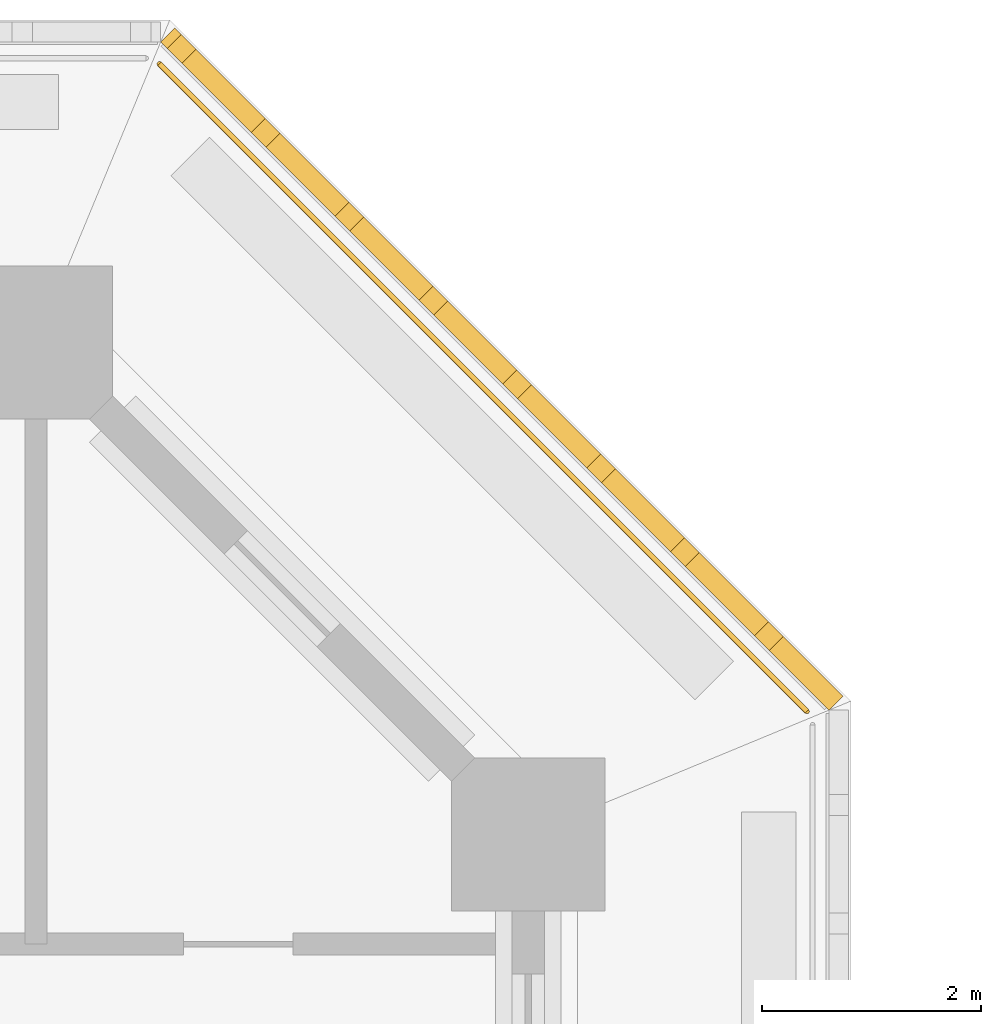
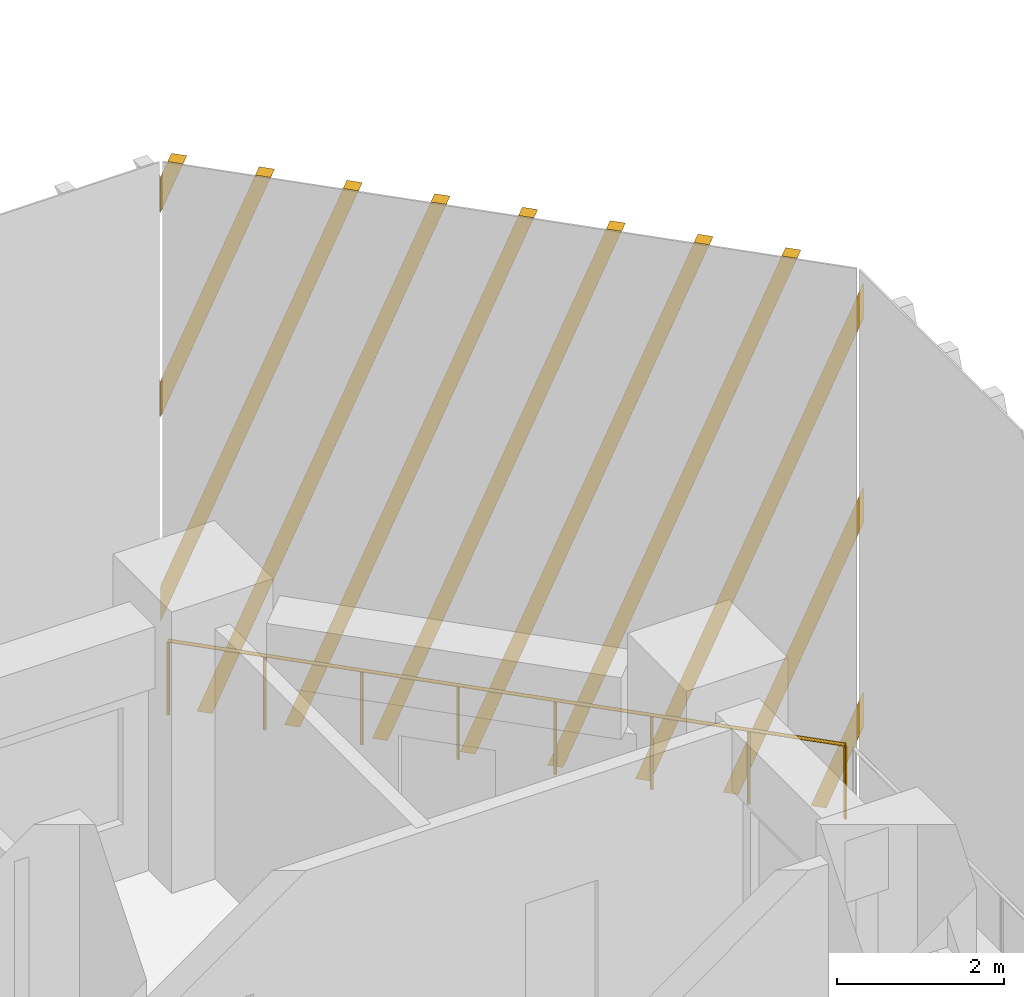
# One storey, part 14 of 15: 1 railing, 1 shading device.
"""IFC4 building model written with IfcOpenShell, lengths in metres."""

import ifcopenshell
import ifcopenshell.guid

model = None  # the IFC model being written
_history = None  # IfcOwnerHistory: only IFC2X3 demands one
_inside = {}  # id of a spatial element -> (the spatial element, [elements in it])
_under = {}  # id of a project, library or spatial element -> (it, [spatial elements below it])
_declared = {}  # id of a project -> (the project, [libraries it declares])
_typed = {}  # id of a type object -> (the type object, [elements of that type])
_made_of = {}  # id of a material, layer set ... -> (it, [elements and type objects made of it])


def new_model(schema):
    """Start an empty IFC model of exactly this schema.

    Asked for "IFC4X3", IfcOpenShell would pick the latest addendum, in which some entities
    have other attributes; the version numbers below select the first issue.
    IFC2X3 requires an IfcOwnerHistory on every rooted entity: one is made here for all.
    """
    global model, _history
    if schema == "IFC4X3":
        model = ifcopenshell.file(schema_version=(4, 3, 0, 0))
    else:
        model = ifcopenshell.file(schema=schema)
    _inside.clear()
    _under.clear()
    _declared.clear()
    _typed.clear()
    _made_of.clear()
    _history = None
    if model.schema == "IFC2X3":
        org = make("IfcOrganization", Name="unknown")
        user = make(
            "IfcPersonAndOrganization",
            ThePerson=make("IfcPerson", FamilyName="unknown"),
            TheOrganization=org,
        )
        app = make(
            "IfcApplication",
            ApplicationDeveloper=org,
            Version="unknown",
            ApplicationFullName="unknown",
            ApplicationIdentifier="unknown",
        )
        _history = make(
            "IfcOwnerHistory",
            OwningUser=user,
            OwningApplication=app,
            ChangeAction="ADDED",
            CreationDate=0,
        )
    return model


def make(cls, **values):
    """One entity of the class cls with the attributes given. An attribute that is None is left unset."""
    return model.create_entity(
        cls, **{name: value for name, value in values.items() if value is not None}
    )


def rooted(cls, **values):
    """An entity with a GlobalId (a new one), such as an element, a storey or a relation."""
    return make(cls, GlobalId=ifcopenshell.guid.new(), OwnerHistory=_history, **values)


def si_unit(unit_type, name, prefix=None):
    """IfcSIUnit, for example si_unit("LENGTHUNIT", "METRE", prefix="MILLI")."""
    return make("IfcSIUnit", UnitType=unit_type, Prefix=prefix, Name=name)


def assignment(units):
    """IfcUnitAssignment: the units of a project."""
    return None if units is None else make("IfcUnitAssignment", Units=units)


def point(xyz):
    """IfcCartesianPoint."""
    return None if xyz is None else make("IfcCartesianPoint", Coordinates=xyz)


def direction(xyz):
    """IfcDirection."""
    return None if xyz is None else make("IfcDirection", DirectionRatios=xyz)


def frame(location, z_axis=None, x_axis=None):
    """IfcAxis2Placement3D, a coordinate frame: its origin and axes. An axis left out is left unset."""
    return make(
        "IfcAxis2Placement3D",
        Location=point(location),
        Axis=direction(z_axis),
        RefDirection=direction(x_axis),
    )


def frame_2d(location, x_axis=None):
    """IfcAxis2Placement2D, a coordinate frame in the plane: its origin and x axis."""
    return make(
        "IfcAxis2Placement2D", Location=point(location), RefDirection=direction(x_axis)
    )


def origin():
    """The frame at (0, 0, 0) with its axes left unset."""
    return frame((0.0, 0.0, 0.0))


def origin_2d():
    """The frame at (0, 0) in the plane with its x axis left unset."""
    return frame_2d((0.0, 0.0))


def place(relative_to, where):
    """IfcLocalPlacement: puts the frame where relative to a parent placement (None: the world)."""
    return make(
        "IfcLocalPlacement", PlacementRelTo=relative_to, RelativePlacement=where
    )


def context(
    kind, dimensions, precision=None, world=None, true_north=None, identifier=None
):
    """IfcGeometricRepresentationContext, for example the 3D "Model" context."""
    return make(
        "IfcGeometricRepresentationContext",
        ContextIdentifier=identifier,
        ContextType=kind,
        CoordinateSpaceDimension=dimensions,
        Precision=precision,
        WorldCoordinateSystem=world,
        TrueNorth=true_north,
    )


def subcontext(parent, identifier, kind, view, scale=None):
    """IfcGeometricRepresentationSubContext, for example "Body" below "Model"."""
    return make(
        "IfcGeometricRepresentationSubContext",
        ContextIdentifier=identifier,
        ContextType=kind,
        ParentContext=parent,
        TargetScale=scale,
        TargetView=view,
    )


def project(units=None, contexts=None):
    """IfcProject with its units and contexts."""
    return rooted(
        "IfcProject",
        Name="project",
        RepresentationContexts=contexts,
        UnitsInContext=assignment(units),
    )


def spatial(cls, under=None, at=None, **own):
    """A site, building, storey or space (cls), placed at a placement, below another one or the project."""
    s = rooted(cls, ObjectPlacement=at, **own)
    if under is not None:
        _under.setdefault(under.id(), (under, []))[1].append(s)
    return s


def polyline(points):
    """IfcPolyline through the points."""
    return make("IfcPolyline", Points=[point(p) for p in points])


def profile(cls, at=None, kind="AREA", **sizes):
    """A parametric profile (cls). Its sizes go by their IFC names, for example OverallWidth=200.0."""
    return make(cls, ProfileType=kind, Position=at, **sizes)


def circle(**sizes):
    """IfcCircleProfileDef."""
    return profile("IfcCircleProfileDef", **sizes)


def outline(outer, holes=None, kind="AREA"):
    """IfcArbitraryClosedProfileDef: a profile drawn as a closed curve; with holes, ...WithVoids."""
    if holes is None:
        return make("IfcArbitraryClosedProfileDef", ProfileType=kind, OuterCurve=outer)
    return make(
        "IfcArbitraryProfileDefWithVoids",
        ProfileType=kind,
        OuterCurve=outer,
        InnerCurves=holes,
    )


def extrude(swept, where, along, depth):
    """IfcExtrudedAreaSolid: the profile swept, set in the frame where, extruded along a direction by depth."""
    return make(
        "IfcExtrudedAreaSolid",
        SweptArea=swept,
        Position=where,
        ExtrudedDirection=direction(along),
        Depth=depth,
    )


def shape(context_of_items, identifier, shape_type, items):
    """IfcShapeRepresentation: the items that make up one representation, for example the "Body"."""
    return make(
        "IfcShapeRepresentation",
        ContextOfItems=context_of_items,
        RepresentationIdentifier=identifier,
        RepresentationType=shape_type,
        Items=items,
    )


def source(mapping_origin, context_of_items, identifier, shape_type, items):
    """IfcRepresentationMap: a shape defined once, which mapped items show again and again."""
    return make(
        "IfcRepresentationMap",
        MappingOrigin=mapping_origin,
        MappedRepresentation=shape(context_of_items, identifier, shape_type, items),
    )


def transform(
    local_origin,
    x_axis=None,
    y_axis=None,
    z_axis=None,
    scale=None,
    scale2=None,
    scale3=None,
    uniform=True,
):
    """IfcCartesianTransformationOperator3D, or its non-uniform kind. x_axis, y_axis, z_axis: its Axis1, 2, 3."""
    if uniform:
        return make(
            "IfcCartesianTransformationOperator3D",
            Axis1=direction(x_axis),
            Axis2=direction(y_axis),
            LocalOrigin=point(local_origin),
            Scale=scale,
            Axis3=direction(z_axis),
        )
    return make(
        "IfcCartesianTransformationOperator3DnonUniform",
        Axis1=direction(x_axis),
        Axis2=direction(y_axis),
        LocalOrigin=point(local_origin),
        Scale=scale,
        Axis3=direction(z_axis),
        Scale2=scale2,
        Scale3=scale3,
    )


def mapped(mapping_source, mapping_target):
    """IfcMappedItem: shows the shape of a source again, moved by a transform."""
    return make(
        "IfcMappedItem", MappingSource=mapping_source, MappingTarget=mapping_target
    )


def material(Name=None, Category=None):
    """IfcMaterial."""
    return make("IfcMaterial", Name=Name, Category=Category)


def made_of(thing, what):
    """Note that an element or type object is made of a material, layer set ...; save() writes the relation."""
    if what is not None:
        _made_of.setdefault(what.id(), (what, []))[1].append(thing)
    return thing


def type_object(cls, material=None, **own):
    """A type object (cls), such as IfcWallType, which elements share."""
    return made_of(rooted(cls, **own), material)


def element(
    cls,
    number,
    at=None,
    inside=None,
    cuts=None,
    type_object=None,
    material=None,
    context=None,
    identifier="Body",
    shape_type=None,
    held_by="IfcProductDefinitionShape",
    body=None,
    shapes=None,
    **own,
):
    """One element of the class cls, such as IfcWall. Its Tag is "e" and its number.

    at: its placement. inside: the storey or other place that contains it. cuts: it is an
    opening in that element (IfcRelVoidsElement). A single representation is given by context,
    identifier, shape_type and body (its items); several are given by shapes. held_by: the class
    of the entity that holds the representations. save() writes the other relations.
    """
    e = rooted(cls, Tag="e%d" % number, ObjectPlacement=at, **own)
    if body is not None:
        shapes = [shape(context, identifier, shape_type, body)]
    if shapes is not None:
        e.Representation = make(held_by, Representations=shapes)
    if inside is not None:
        _inside.setdefault(inside.id(), (inside, []))[1].append(e)
    if cuts is not None:
        rooted(
            "IfcRelVoidsElement", RelatingBuildingElement=cuts, RelatedOpeningElement=e
        )
    if type_object is not None:
        _typed.setdefault(type_object.id(), (type_object, []))[1].append(e)
    return made_of(e, material)


def aggregate(whole, parts):
    """IfcRelAggregates: a whole, such as a stair, and the parts it consists of."""
    return rooted("IfcRelAggregates", RelatingObject=whole, RelatedObjects=parts)


def save(model, path):
    """Write the relations noted so far, then the file.

    IfcRelAggregates (storeys below a building ...), IfcRelContainedInSpatialStructure (elements
    in a storey), IfcRelDefinesByType, IfcRelAssociatesMaterial and IfcRelDeclares: one each for
    every whole, place, type object, material and project.
    """
    for whole, parts in _under.values():
        aggregate(whole, parts)
    for where, things in _inside.values():
        rooted(
            "IfcRelContainedInSpatialStructure",
            RelatedElements=things,
            RelatingStructure=where,
        )
    for kind, things in _typed.values():
        rooted("IfcRelDefinesByType", RelatedObjects=things, RelatingType=kind)
    for what, things in _made_of.values():
        rooted("IfcRelAssociatesMaterial", RelatedObjects=things, RelatingMaterial=what)
    for by, libraries in _declared.values():
        rooted("IfcRelDeclares", RelatingContext=by, RelatedDefinitions=libraries)
    model.write(path)


model = new_model("IFC4")

# Units and contexts
model_context = context("Model", 3, precision=1e-05, world=origin(), true_north=direction((0.0, 1.0)))
body_context = subcontext(model_context, "Body", "Model", "MODEL_VIEW")
ifc_project = project(units=[si_unit("LENGTHUNIT", "METRE"), si_unit("AREAUNIT", "SQUARE_METRE"), si_unit("VOLUMEUNIT", "CUBIC_METRE"), si_unit("PLANEANGLEUNIT", "RADIAN"), si_unit("MASSUNIT", "GRAM", prefix="KILO")], contexts=[model_context])

# Site, building, storey
site_placement = place(None, origin())
site = spatial("IfcSite", under=ifc_project, at=site_placement, CompositionType="ELEMENT")
building_placement = place(site_placement, origin())
building = spatial("IfcBuilding", under=site, at=building_placement, Name="Corbel Stack Research Tower", CompositionType="ELEMENT")
storey_placement = place(building_placement, frame((0.0, 0.0, 23.60009765625)))
storey = spatial("IfcBuildingStorey", under=building, at=storey_placement, Name="L05", CompositionType="ELEMENT", Elevation=23.60009765625)

# Railing
ifc_material_1 = material(Name="Powder-coated steel guard", Category="steel")
railing_type = type_object("IfcRailingType", Name="Steel and glass guard 1100", PredefinedType="GUARDRAIL", material=ifc_material_1)
railing_placement = place(storey_placement, frame((29.54931640625, 23.627685546875, 0.0)))
element("IfcRailing", 1, at=railing_placement, inside=storey, type_object=railing_type, Name="Loggia guard L05 NE", PredefinedType="GUARDRAIL", context=body_context, shape_type="SweptSolid", body=[
    extrude(circle(Radius=0.02392578125, at=origin_2d()), frame((0.0, 0.0, 1.076171875), z_axis=(-0.707106781187, 0.707106781187, 0.0), x_axis=(-0.707106781187, -0.707106781187, 0.0)), (0.0, 0.0, 1.0), 8.37451171875),
    extrude(circle(Radius=0.02099609375, at=origin_2d()), origin(), (0.0, 0.0, 1.0), 1.052001953125),
    extrude(circle(Radius=0.02099609375, at=origin_2d()), frame((-0.845947265625, 0.845947265625, 0.0)), (0.0, 0.0, 1.0), 1.052001953125),
    extrude(circle(Radius=0.02099609375, at=origin_2d()), frame((-1.69189453125, 1.69189453125, 0.0)), (0.0, 0.0, 1.0), 1.052001953125),
    extrude(circle(Radius=0.02099609375, at=origin_2d()), frame((-2.537841796875, 2.537841796875, 0.0)), (0.0, 0.0, 1.0), 1.052001953125),
    extrude(circle(Radius=0.02099609375, at=origin_2d()), frame((-3.3837890625, 3.3837890625, 0.0)), (0.0, 0.0, 1.0), 1.052001953125),
    extrude(circle(Radius=0.02099609375, at=origin_2d()), frame((-4.229736328125, 4.229736328125, 0.0)), (0.0, 0.0, 1.0), 1.052001953125),
    extrude(circle(Radius=0.02099609375, at=origin_2d()), frame((-5.07568359375, 5.07568359375, 0.0)), (0.0, 0.0, 1.0), 1.052001953125),
    extrude(circle(Radius=0.02099609375, at=origin_2d()), frame((-5.921630859375, 5.921630859375, 0.0)), (0.0, 0.0, 1.0), 1.052001953125),
])

# Shading device
ifc_material_2 = material(Name="Precast terracotta", Category="masonry")
shading_device_type = type_object("IfcShadingDeviceType", Name="Terracotta screen panel", PredefinedType="USERDEFINED", material=ifc_material_2)
shared_shape = source(origin(), body_context, "Body", "SweptSolid", [
    extrude(outline(polyline([(0.60205078125, 0.0), (0.0, 1.654296875), (0.0, 1.13232421875), (0.412109375, 0.0), (0.60205078125, 0.0)])), frame((0.0, 0.0, 0.0), z_axis=(0.0, -1.0, 0.0), x_axis=(1.0, 0.0, 0.0)), (0.0, 0.0, 1.0), 0.179931640625),
    extrude(outline(polyline([(1.686767578125, 0.0), (0.0, 4.634521484375), (0.0, 4.1123046875), (1.496826171875, 0.0), (1.686767578125, 0.0)])), frame((0.0, 0.0, 0.0), z_axis=(0.0, -1.0, 0.0), x_axis=(1.0, 0.0, 0.0)), (0.0, 0.0, 1.0), 0.179931640625),
    extrude(outline(polyline([(2.771484375, 0.0), (0.0, 7.614501953125), (0.0, 7.092529296875), (2.58154296875, 0.0), (2.771484375, 0.0)])), frame((0.0, 0.0, 0.0), z_axis=(0.0, -1.0, 0.0), x_axis=(1.0, 0.0, 0.0)), (0.0, 0.0, 1.0), 0.179931640625),
    extrude(outline(polyline([(3.856201171875, 0.0), (0.962646484375, 7.949951171875), (0.772705078125, 7.949951171875), (3.666015625, 0.0), (3.856201171875, 0.0)])), frame((0.0, 0.0, 0.0), z_axis=(0.0, -1.0, 0.0), x_axis=(1.0, 0.0, 0.0)), (0.0, 0.0, 1.0), 0.179931640625),
    extrude(outline(polyline([(4.94091796875, 0.0), (2.047119140625, 7.949951171875), (1.857177734375, 7.949951171875), (4.750732421875, 0.0), (4.94091796875, 0.0)])), frame((0.0, 0.0, 0.0), z_axis=(0.0, -1.0, 0.0), x_axis=(1.0, 0.0, 0.0)), (0.0, 0.0, 1.0), 0.179931640625),
    extrude(outline(polyline([(6.025390625, 0.0), (3.1318359375, 7.949951171875), (2.94189453125, 7.949951171875), (5.83544921875, 0.0), (6.025390625, 0.0)])), frame((0.0, 0.0, 0.0), z_axis=(0.0, -1.0, 0.0), x_axis=(1.0, 0.0, 0.0)), (0.0, 0.0, 1.0), 0.179931640625),
    extrude(outline(polyline([(7.110107421875, 0.0), (4.216552734375, 7.949951171875), (4.026611328125, 7.949951171875), (6.920166015625, 0.0), (7.110107421875, 0.0)])), frame((0.0, 0.0, 0.0), z_axis=(0.0, -1.0, 0.0), x_axis=(1.0, 0.0, 0.0)), (0.0, 0.0, 1.0), 0.179931640625),
    extrude(outline(polyline([(8.19482421875, 0.0), (5.30126953125, 7.949951171875), (5.111083984375, 7.949951171875), (8.0048828125, 0.0), (8.19482421875, 0.0)])), frame((0.0, 0.0, 0.0), z_axis=(0.0, -1.0, 0.0), x_axis=(1.0, 0.0, 0.0)), (0.0, 0.0, 1.0), 0.179931640625),
    extrude(outline(polyline([(6.385986328125, 7.949951171875), (6.19580078125, 7.949951171875), (8.64208984375, 1.22900390625), (8.64208984375, 1.751220703125), (6.385986328125, 7.949951171875)])), frame((0.0, 0.0, 0.0), z_axis=(0.0, -1.0, 0.0), x_axis=(1.0, 0.0, 0.0)), (0.0, 0.0, 1.0), 0.179931640625),
    extrude(outline(polyline([(7.470703125, 7.949951171875), (7.280517578125, 7.949951171875), (8.64208984375, 4.208984375), (8.64208984375, 4.731201171875), (7.470703125, 7.949951171875)])), frame((0.0, 0.0, 0.0), z_axis=(0.0, -1.0, 0.0), x_axis=(1.0, 0.0, 0.0)), (0.0, 0.0, 1.0), 0.179931640625),
    extrude(outline(polyline([(8.55517578125, 7.949951171875), (8.365234375, 7.949951171875), (8.64208984375, 7.189208984375), (8.64208984375, 7.711181640625), (8.55517578125, 7.949951171875)])), frame((0.0, 0.0, 0.0), z_axis=(0.0, -1.0, 0.0), x_axis=(1.0, 0.0, 0.0)), (0.0, 0.0, 1.0), 0.179931640625),
])
shading_device_placement = place(storey_placement, frame((29.75, 23.63916015625, 0.0), z_axis=(0.0, 0.0, 1.0), x_axis=(-0.707106781187, 0.707106781187, 0.0)))
element("IfcShadingDevice", 2, at=shading_device_placement, inside=storey, type_object=shading_device_type, Name="Terracotta screen L05 NE1", ObjectType="SCREEN", PredefinedType="USERDEFINED", context=body_context, shape_type="MappedRepresentation", body=[
    mapped(shared_shape, transform((0.0, 0.0, 0.0))),
])

save(model, "model.ifc")
